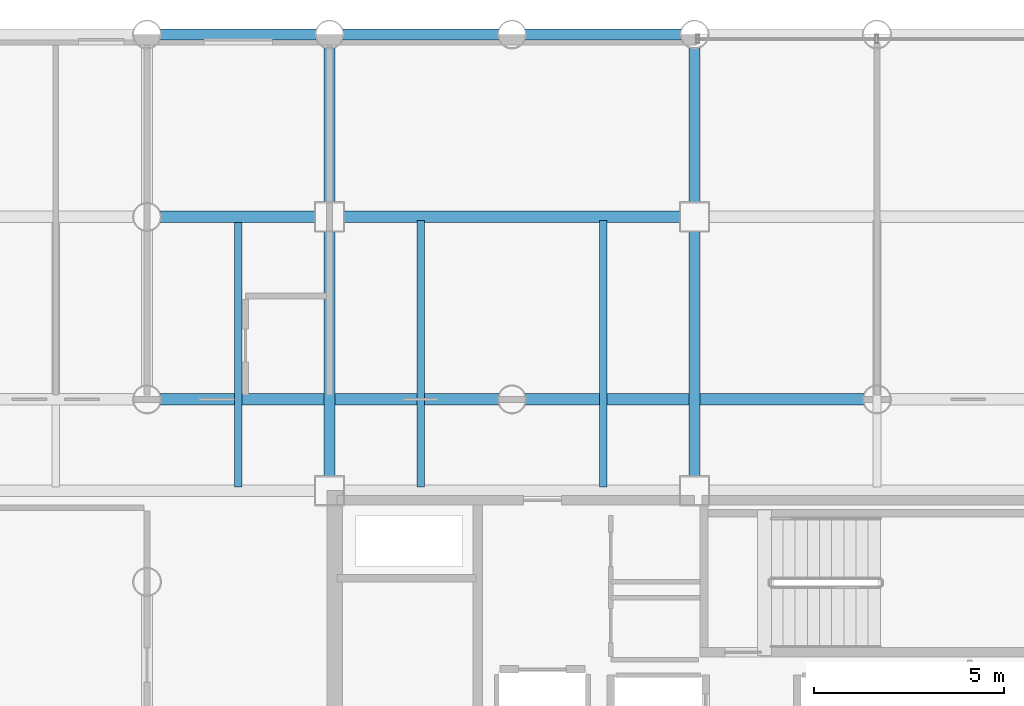
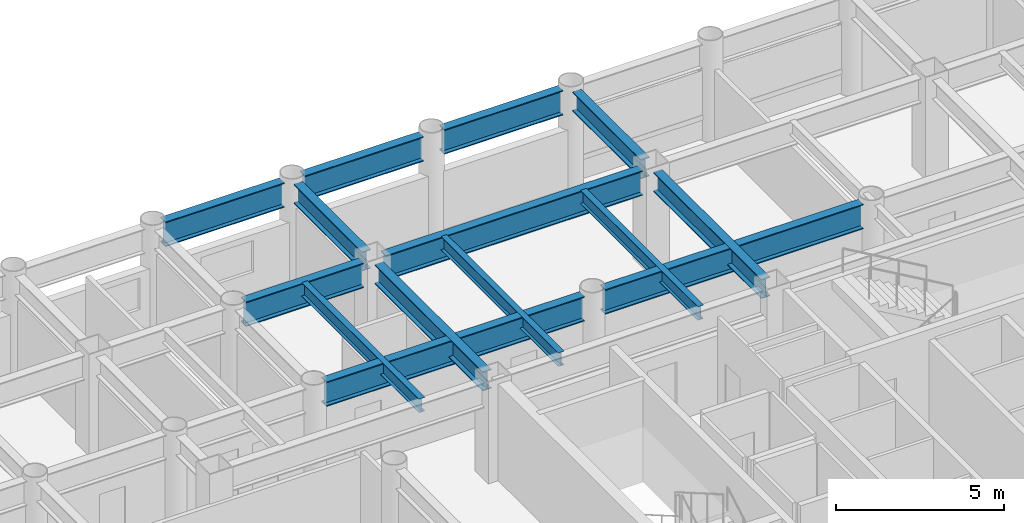
# One storey, part 10 of 21: 14 beams.
"""IFC4 building model written with IfcOpenShell, lengths in metres."""

from ifc_helpers import new_model, si_unit, direction, frame, origin, origin_2d, place, context, subcontext, project, spatial, i_section, extrude, material, material_profile, profile_set, type_object, element, save


model = new_model("IFC4")

# Units and contexts
model_context = context("Model", 3, precision=1e-05, world=origin(), true_north=direction((0.0, 1.0)))
body_context = subcontext(model_context, "Body", "Model", "MODEL_VIEW")
ifc_project = project(units=[si_unit("LENGTHUNIT", "METRE"), si_unit("AREAUNIT", "SQUARE_METRE"), si_unit("VOLUMEUNIT", "CUBIC_METRE"), si_unit("PLANEANGLEUNIT", "RADIAN"), si_unit("MASSUNIT", "GRAM", prefix="KILO")], contexts=[model_context])

# Site, building, storey
site_placement = place(None, origin())
site = spatial("IfcSite", under=ifc_project, at=site_placement, CompositionType="ELEMENT")
building_placement = place(site_placement, origin())
building = spatial("IfcBuilding", under=site, at=building_placement, Name="Kallvorn Hotel Tower", CompositionType="ELEMENT")
storey_placement = place(building_placement, frame((0.0, 0.0, 41.10009765625)))
storey = spatial("IfcBuildingStorey", under=building, at=storey_placement, Name="L08", CompositionType="ELEMENT", Elevation=41.10009765625)

# Beams
ifc_material_1 = material(Name="Structural steel S355JR", Category="steel")
ifc_material_profile_1 = material_profile(ifc_material_1, i_section(OverallWidth=0.300048828125, OverallDepth=0.699951171875, WebThickness=0.01708984375, FlangeThickness=0.031982421875, at=origin_2d()), Name="HE 700 B")
ifc_profile_set_1 = profile_set([ifc_material_profile_1], Name="Structural steel S355JR")
beam_type_1 = type_object("IfcBeamType", Name="BM_HE700B", PredefinedType="BEAM", material=ifc_profile_set_1)
beam_1_placement = place(storey_placement, frame((-14.39990234375, 7.574951171875, 3.169921875), z_axis=(0.0, 1.0, 0.0), x_axis=(-1.0, 0.0, 0.0)))
element("IfcBeam", 1, at=beam_1_placement, inside=storey, type_object=beam_type_1, Name="L09 Primary Y-Girder 101", PredefinedType="BEAM", context=body_context, shape_type="SweptSolid", body=[
    extrude(i_section(OverallWidth=0.300048828125, OverallDepth=0.699951171875, WebThickness=0.01708984375, FlangeThickness=0.031982421875, at=origin_2d()), origin(), (0.0, 0.0, 1.0), 6.449951171875),
])
beam_2_placement = place(storey_placement, frame((-14.39990234375, 14.77490234375, 3.169921875), z_axis=(0.0, 1.0, 0.0), x_axis=(-1.0, 0.0, 0.0)))
element("IfcBeam", 2, at=beam_2_placement, inside=storey, type_object=beam_type_1, Name="L09 Primary Y-Girder 102", PredefinedType="BEAM", context=body_context, shape_type="SweptSolid", body=[
    extrude(i_section(OverallWidth=0.300048828125, OverallDepth=0.699951171875, WebThickness=0.01708984375, FlangeThickness=0.031982421875, at=origin_2d()), origin(), (0.0, 0.0, 1.0), 4.069091796875),
])
beam_3_placement = place(storey_placement, frame((-4.800048828125, 7.574951171875, 3.169921875), z_axis=(0.0, 1.0, 0.0), x_axis=(-1.0, 0.0, 0.0)))
element("IfcBeam", 3, at=beam_3_placement, inside=storey, type_object=beam_type_1, Name="L09 Primary Y-Girder 109", PredefinedType="BEAM", context=body_context, shape_type="SweptSolid", body=[
    extrude(i_section(OverallWidth=0.300048828125, OverallDepth=0.699951171875, WebThickness=0.01708984375, FlangeThickness=0.031982421875, at=origin_2d()), origin(), (0.0, 0.0, 1.0), 6.449951171875),
])
beam_4_placement = place(storey_placement, frame((-4.800048828125, 14.77490234375, 3.169921875), z_axis=(0.0, 1.0, 0.0), x_axis=(-1.0, 0.0, 0.0)))
element("IfcBeam", 4, at=beam_4_placement, inside=storey, type_object=beam_type_1, Name="L09 Primary Y-Girder 110", PredefinedType="BEAM", context=body_context, shape_type="SweptSolid", body=[
    extrude(i_section(OverallWidth=0.300048828125, OverallDepth=0.699951171875, WebThickness=0.01708984375, FlangeThickness=0.031982421875, at=origin_2d()), origin(), (0.0, 0.0, 1.0), 4.069091796875),
])
ifc_material_2 = material(Name="Structural steel S355JR", Category="steel")
ifc_material_profile_2 = material_profile(ifc_material_2, i_section(OverallWidth=0.300048828125, OverallDepth=0.89990234375, WebThickness=0.0185546875, FlangeThickness=0.034912109375, at=origin_2d()), Name="HE 900 B")
ifc_profile_set_2 = profile_set([ifc_material_profile_2], Name="Structural steel S355JR")
beam_type_2 = type_object("IfcBeamType", Name="BM_HE900B", PredefinedType="BEAM", material=ifc_profile_set_2)
for number, where, z_axis, x_axis, name in (
    (5, (-18.843994140625, 9.60009765625, 3.06982421875), (1.0, 0.0, 0.0), (0.0, 1.0, 0.0), "L09 Primary X-Girder 45"),
    (6, (-9.243896484375, 9.60009765625, 3.06982421875), (1.0, 0.0, 0.0), (0.0, 1.0, 0.0), "L09 Primary X-Girder 46"),
):
    element("IfcBeam", number, at=place(storey_placement, frame(where, z_axis=z_axis, x_axis=x_axis)), inside=storey, type_object=beam_type_2, Name=name, PredefinedType="BEAM", context=body_context, shape_type="SweptSolid", body=[
        extrude(i_section(OverallWidth=0.300048828125, OverallDepth=0.89990234375, WebThickness=0.0185546875, FlangeThickness=0.034912109375, at=origin_2d()), origin(), (0.0, 0.0, 1.0), 8.887939453125),
    ])
beam_5_placement = place(storey_placement, frame((-18.843994140625, 14.39990234375, 3.06982421875), z_axis=(1.0, 0.0, 0.0), x_axis=(0.0, 1.0, 0.0)))
element("IfcBeam", 7, at=beam_5_placement, inside=storey, type_object=beam_type_2, Name="L09 Primary X-Girder 54", PredefinedType="BEAM", context=body_context, shape_type="SweptSolid", body=[
    extrude(i_section(OverallWidth=0.300048828125, OverallDepth=0.89990234375, WebThickness=0.0185546875, FlangeThickness=0.034912109375, at=origin_2d()), origin(), (0.0, 0.0, 1.0), 4.069091796875),
])
beam_6_placement = place(storey_placement, frame((-14.02490234375, 14.39990234375, 3.06982421875), z_axis=(1.0, 0.0, 0.0), x_axis=(0.0, 1.0, 0.0)))
element("IfcBeam", 8, at=beam_6_placement, inside=storey, type_object=beam_type_2, Name="L09 Primary X-Girder 55", PredefinedType="BEAM", context=body_context, shape_type="SweptSolid", body=[
    extrude(i_section(OverallWidth=0.300048828125, OverallDepth=0.89990234375, WebThickness=0.0185546875, FlangeThickness=0.034912109375, at=origin_2d()), origin(), (0.0, 0.0, 1.0), 8.849853515625),
])
for number, where, z_axis, x_axis, name in (
    (9, (-18.843994140625, 19.199951171875, 3.06982421875), (1.0, 0.0, 0.0), (0.0, 1.0, 0.0), "L09 Primary X-Girder 63"),
    (10, (-14.0439453125, 19.199951171875, 3.06982421875), (1.0, 0.0, 0.0), (0.0, 1.0, 0.0), "L09 Primary X-Girder 64"),
    (11, (-9.243896484375, 19.199951171875, 3.06982421875), (1.0, 0.0, 0.0), (0.0, 1.0, 0.0), "L09 Primary X-Girder 65"),
):
    element("IfcBeam", number, at=place(storey_placement, frame(where, z_axis=z_axis, x_axis=x_axis)), inside=storey, type_object=beam_type_2, Name=name, PredefinedType="BEAM", context=body_context, shape_type="SweptSolid", body=[
        extrude(i_section(OverallWidth=0.300048828125, OverallDepth=0.89990234375, WebThickness=0.0185546875, FlangeThickness=0.034912109375, at=origin_2d()), origin(), (0.0, 0.0, 1.0), 4.087890625),
    ])
ifc_material_3 = material(Name="Structural steel S355JR", Category="steel")
ifc_material_profile_3 = material_profile(ifc_material_3, i_section(OverallWidth=0.199951171875, OverallDepth=0.5, WebThickness=0.01025390625, FlangeThickness=0.01611328125, at=origin_2d()), Name="IPE 500")
ifc_profile_set_3 = profile_set([ifc_material_profile_3], Name="Structural steel S355JR")
beam_type_3 = type_object("IfcBeamType", Name="BM_IPE500", PredefinedType="JOIST", material=ifc_profile_set_3)
for number, where, z_axis, x_axis, name in (
    (12, (-16.800048828125, 7.300048828125, 3.27001953125), (0.0, 1.0, 0.0), (-1.0, 0.0, 0.0), "L09 Secondary Composite Joist 195"),
    (13, (-12.0, 7.300048828125, 3.27001953125), (0.0, 1.0, 0.0), (-1.0, 0.0, 0.0), "L09 Secondary Composite Joist 197"),
    (14, (-7.199951171875, 7.300048828125, 3.27001953125), (0.0, 1.0, 0.0), (-1.0, 0.0, 0.0), "L09 Secondary Composite Joist 199"),
):
    element("IfcBeam", number, at=place(storey_placement, frame(where, z_axis=z_axis, x_axis=x_axis)), inside=storey, type_object=beam_type_3, Name=name, PredefinedType="JOIST", context=body_context, shape_type="SweptSolid", body=[
        extrude(i_section(OverallWidth=0.199951171875, OverallDepth=0.5, WebThickness=0.01025390625, FlangeThickness=0.01611328125, at=origin_2d()), origin(), (0.0, 0.0, 1.0), 7.0),
    ])

save(model, "model.ifc")
